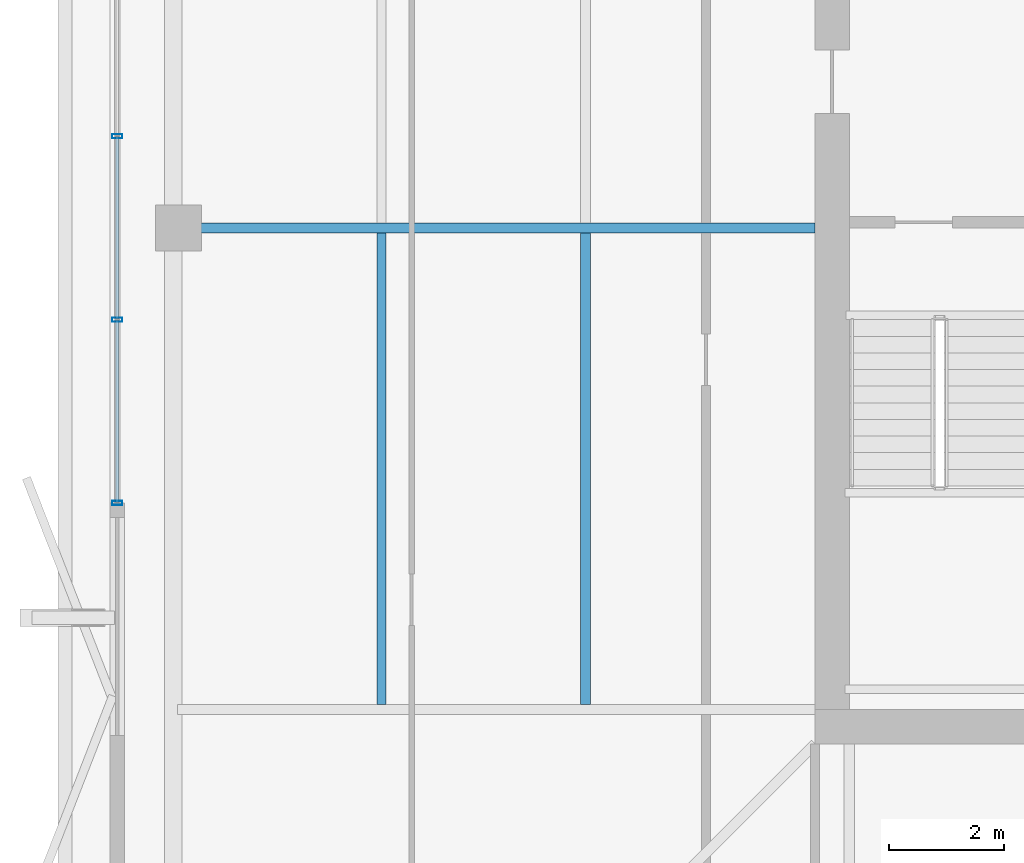
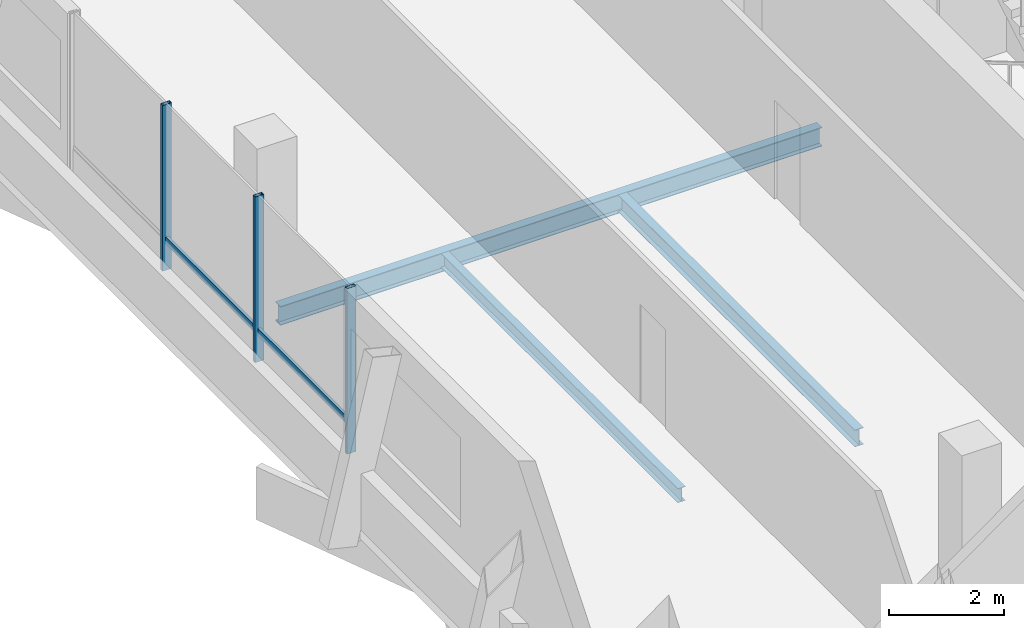
# One storey, part 5 of 18: 5 members, 3 beams, 1 element without a shape of its own.
"""IFC4 building model written with IfcOpenShell, lengths in metres."""

from ifc_helpers import new_model, si_unit, direction, frame, origin, origin_2d, place, context, subcontext, project, spatial, hollow_rectangle, i_section, extrude, material, layer, layer_set, material_profile, profile_set, type_object, element, aggregate, save


model = new_model("IFC4")

# Units and contexts
model_context = context("Model", 3, precision=1e-05, world=origin(), true_north=direction((0.0, 1.0)))
body_context = subcontext(model_context, "Body", "Model", "MODEL_VIEW")
ifc_project = project(units=[si_unit("LENGTHUNIT", "METRE"), si_unit("AREAUNIT", "SQUARE_METRE"), si_unit("VOLUMEUNIT", "CUBIC_METRE"), si_unit("PLANEANGLEUNIT", "RADIAN"), si_unit("MASSUNIT", "GRAM", prefix="KILO")], contexts=[model_context])

# Site, building, storey
site_placement = place(None, origin())
site = spatial("IfcSite", under=ifc_project, at=site_placement, CompositionType="ELEMENT")
building_placement = place(site_placement, origin())
building = spatial("IfcBuilding", under=site, at=building_placement, Name="Belovzor Exchange Tower", CompositionType="ELEMENT")
storey_placement = place(building_placement, frame((0.0, 0.0, 344.25)))
storey = spatial("IfcBuildingStorey", under=building, at=storey_placement, Name="L86", CompositionType="ELEMENT", Elevation=344.25)

# Beams
ifc_material_1 = material(Name="Steel S355", Category="steel")
ifc_material_profile_1 = material_profile(ifc_material_1, i_section(OverallWidth=0.169921875, OverallDepth=0.360107421875, WebThickness=0.008056640625, FlangeThickness=0.0126953125, at=origin_2d()))
ifc_profile_set_1 = profile_set([ifc_material_profile_1], Name="Steel S355")
beam_type_1 = type_object("IfcBeamType", Name="Secondary Infill Floor Joist IPE 360", PredefinedType="BEAM", material=ifc_profile_set_1)
beam_1_placement = place(storey_placement, frame((15.797119140625, 20.489990234375, -0.419921875), z_axis=(0.0, 1.0, 0.0), x_axis=(-1.0, 0.0, 0.0)))
element("IfcBeam", 1, at=beam_1_placement, inside=storey, type_object=beam_type_1, Name="FJ-360 Secondary Infill Floor Joist IPE 360", PredefinedType="BEAM", context=body_context, shape_type="SweptSolid", body=[
    extrude(i_section(OverallWidth=0.169921875, OverallDepth=0.360107421875, WebThickness=0.008056640625, FlangeThickness=0.0126953125, at=origin_2d()), origin(), (0.0, 0.0, 1.0), 8.219970703125),
])
ifc_material_2 = material(Name="Steel S355", Category="steel")
ifc_material_profile_2 = material_profile(ifc_material_2, i_section(OverallWidth=0.14990234375, OverallDepth=0.300048828125, WebThickness=0.007080078125, FlangeThickness=0.0107421875, at=origin_2d()))
ifc_profile_set_2 = profile_set([ifc_material_profile_2], Name="Steel S355")
beam_type_2 = type_object("IfcBeamType", Name="Secondary Trim Floor Joist IPE 300", PredefinedType="BEAM", material=ifc_profile_set_2)
beam_2_placement = place(storey_placement, frame((12.239013671875, 20.489990234375, -0.389892578125), z_axis=(0.0, 1.0, 0.0), x_axis=(-1.0, 0.0, 0.0)))
element("IfcBeam", 2, at=beam_2_placement, inside=storey, type_object=beam_type_2, Name="FJ-300 Secondary Trim Floor Joist IPE 300", PredefinedType="BEAM", context=body_context, shape_type="SweptSolid", body=[
    extrude(i_section(OverallWidth=0.14990234375, OverallDepth=0.300048828125, WebThickness=0.007080078125, FlangeThickness=0.0107421875, at=origin_2d()), origin(), (0.0, 0.0, 1.0), 8.219970703125),
])

# Curtain wall, members
ifc_material_3 = material(Name="Anodised Aluminium Framing", Category="aluminium")
ifc_layer = layer(ifc_material_3, 0.179931640625)
ifc_layer_set = layer_set([ifc_layer], Name="Anodised Aluminium Framing")
curtain_wall_type = type_object("IfcCurtainWallType", Name="Recessed Loggia Low-Iron Triple-Glazed Curtain Wall", PredefinedType="NOTDEFINED", material=ifc_layer_set)
curtain_wall_placement = place(storey_placement, origin())
curtain_wall = element("IfcCurtainWall", 3, at=curtain_wall_placement, inside=storey, type_object=curtain_wall_type, Name="CW3 Recessed Loggia Low-Iron Triple-Glazed Curtain Wall L86", PredefinedType="NOTDEFINED")
ifc_material_4 = material(Name="Steel S355", Category="steel")
ifc_material_profile_3 = material_profile(ifc_material_4, hollow_rectangle(XDim=0.074951171875, YDim=0.179931640625, WallThickness=0.0048828125, at=origin_2d()))
ifc_profile_set_3 = profile_set([ifc_material_profile_3], Name="Steel S355")
member_type_1 = type_object("IfcMemberType", Name="Thermally Broken Curtain Wall Mullion 180x75", PredefinedType="MULLION", material=ifc_profile_set_3)
member_1_placement = place(storey_placement, frame((7.6298828125, 24.0, 0.0), z_axis=(0.0, 0.0, 1.0), x_axis=(0.0, 1.0, 0.0)))
member_1 = element("IfcMember", 4, at=member_1_placement, type_object=member_type_1, Name="CW-M180 Curtain Wall Mullion 1", PredefinedType="MULLION", context=body_context, shape_type="SweptSolid", body=[
    extrude(hollow_rectangle(XDim=0.074951171875, YDim=0.179931640625, WallThickness=0.0048828125, at=origin_2d()), origin(), (0.0, 0.0, 1.0), 3.510009765625),
])
member_2_placement = place(storey_placement, frame((7.6298828125, 27.199951171875, 0.0), z_axis=(0.0, 0.0, 1.0), x_axis=(0.0, 1.0, 0.0)))
member_2 = element("IfcMember", 5, at=member_2_placement, type_object=member_type_1, Name="CW-M180 Curtain Wall Mullion 2", PredefinedType="MULLION", context=body_context, shape_type="SweptSolid", body=[
    extrude(hollow_rectangle(XDim=0.074951171875, YDim=0.179931640625, WallThickness=0.0048828125, at=origin_2d()), origin(), (0.0, 0.0, 1.0), 3.510009765625),
])
member_3_placement = place(storey_placement, frame((7.6298828125, 30.39990234375, 0.0), z_axis=(0.0, 0.0, 1.0), x_axis=(0.0, 1.0, 0.0)))
member_3 = element("IfcMember", 6, at=member_3_placement, type_object=member_type_1, Name="CW-M180 Curtain Wall Mullion 3", PredefinedType="MULLION", context=body_context, shape_type="SweptSolid", body=[
    extrude(hollow_rectangle(XDim=0.074951171875, YDim=0.179931640625, WallThickness=0.0048828125, at=origin_2d()), origin(), (0.0, 0.0, 1.0), 3.510009765625),
])
ifc_material_5 = material(Name="Steel S355", Category="steel")
ifc_material_profile_4 = material_profile(ifc_material_5, hollow_rectangle(XDim=0.06005859375, YDim=0.14990234375, WallThickness=0.00390625, at=origin_2d()))
ifc_profile_set_4 = profile_set([ifc_material_profile_4], Name="Steel S355")
member_type_2 = type_object("IfcMemberType", Name="Thermally Broken Curtain Wall Transom 150x60", PredefinedType="USERDEFINED", material=ifc_profile_set_4)
member_4_placement = place(storey_placement, frame((7.6298828125, 24.008056640625, 0.632080078125), z_axis=(0.0, 1.0, 0.0), x_axis=(-1.0, 0.0, 0.0)))
member_4 = element("IfcMember", 7, at=member_4_placement, type_object=member_type_2, Name="CW-T150 Curtain Wall Transom 1", ObjectType="TRANSOM", PredefinedType="USERDEFINED", context=body_context, shape_type="SweptSolid", body=[
    extrude(hollow_rectangle(XDim=0.06005859375, YDim=0.14990234375, WallThickness=0.00390625, at=origin_2d()), origin(), (0.0, 0.0, 1.0), 3.183837890625),
])
member_5_placement = place(storey_placement, frame((7.6298828125, 27.2080078125, 0.632080078125), z_axis=(0.0, 1.0, 0.0), x_axis=(-1.0, 0.0, 0.0)))
member_5 = element("IfcMember", 8, at=member_5_placement, type_object=member_type_2, Name="CW-T150 Curtain Wall Transom 2", ObjectType="TRANSOM", PredefinedType="USERDEFINED", context=body_context, shape_type="SweptSolid", body=[
    extrude(hollow_rectangle(XDim=0.06005859375, YDim=0.14990234375, WallThickness=0.00390625, at=origin_2d()), origin(), (0.0, 0.0, 1.0), 3.18408203125),
])
aggregate(curtain_wall, [member_1, member_2, member_3, member_4, member_5])

# Beam
ifc_material_6 = material(Name="Steel S355", Category="steel")
ifc_material_profile_5 = material_profile(ifc_material_6, i_section(OverallWidth=0.179931640625, OverallDepth=0.39990234375, WebThickness=0.008544921875, FlangeThickness=0.013427734375, at=origin_2d()))
ifc_profile_set_5 = profile_set([ifc_material_profile_5], Name="Steel S355")
beam_type_3 = type_object("IfcBeamType", Name="Zone 5-6 Radial Composite Floor Beam IPE 400", PredefinedType="BEAM", material=ifc_profile_set_5)
beam_3_placement = place(storey_placement, frame((19.800048828125, 28.800048828125, -0.43994140625), z_axis=(-1.0, 0.0, 0.0), x_axis=(0.0, -1.0, 0.0)))
element("IfcBeam", 9, at=beam_3_placement, inside=storey, type_object=beam_type_3, Name="FB-400 Zone 5-6 Radial Composite Floor Beam IPE 400", PredefinedType="BEAM", context=body_context, shape_type="SweptSolid", body=[
    extrude(i_section(OverallWidth=0.179931640625, OverallDepth=0.39990234375, WebThickness=0.008544921875, FlangeThickness=0.013427734375, at=origin_2d()), origin(), (0.0, 0.0, 1.0), 10.85400390625),
])

save(model, "model.ifc")
